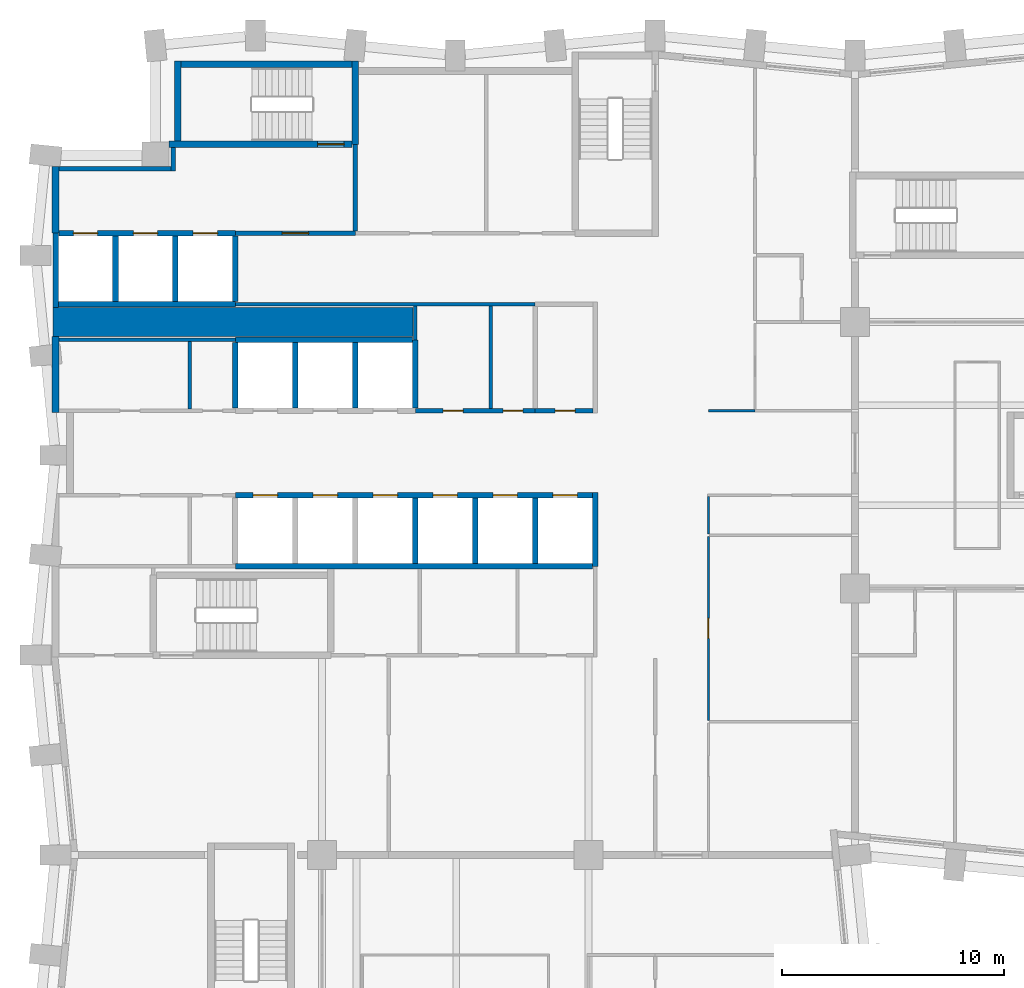
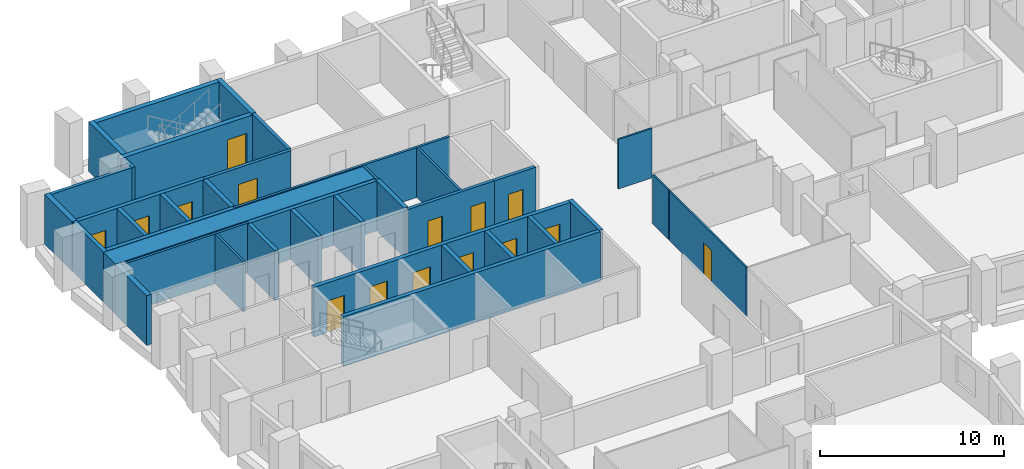
# One storey, part 6 of 12: 38 walls, 15 doors, 15 openings.
"""IFC4 building model written with IfcOpenShell, lengths in metres."""

import ifcopenshell
import ifcopenshell.guid

model = None  # the IFC model being written
_history = None  # IfcOwnerHistory: only IFC2X3 demands one
_inside = {}  # id of a spatial element -> (the spatial element, [elements in it])
_under = {}  # id of a project, library or spatial element -> (it, [spatial elements below it])
_declared = {}  # id of a project -> (the project, [libraries it declares])
_typed = {}  # id of a type object -> (the type object, [elements of that type])
_made_of = {}  # id of a material, layer set ... -> (it, [elements and type objects made of it])


def new_model(schema):
    """Start an empty IFC model of exactly this schema.

    Asked for "IFC4X3", IfcOpenShell would pick the latest addendum, in which some entities
    have other attributes; the version numbers below select the first issue.
    IFC2X3 requires an IfcOwnerHistory on every rooted entity: one is made here for all.
    """
    global model, _history
    if schema == "IFC4X3":
        model = ifcopenshell.file(schema_version=(4, 3, 0, 0))
    else:
        model = ifcopenshell.file(schema=schema)
    _inside.clear()
    _under.clear()
    _declared.clear()
    _typed.clear()
    _made_of.clear()
    _history = None
    if model.schema == "IFC2X3":
        org = make("IfcOrganization", Name="unknown")
        user = make(
            "IfcPersonAndOrganization",
            ThePerson=make("IfcPerson", FamilyName="unknown"),
            TheOrganization=org,
        )
        app = make(
            "IfcApplication",
            ApplicationDeveloper=org,
            Version="unknown",
            ApplicationFullName="unknown",
            ApplicationIdentifier="unknown",
        )
        _history = make(
            "IfcOwnerHistory",
            OwningUser=user,
            OwningApplication=app,
            ChangeAction="ADDED",
            CreationDate=0,
        )
    return model


def make(cls, **values):
    """One entity of the class cls with the attributes given. An attribute that is None is left unset."""
    return model.create_entity(
        cls, **{name: value for name, value in values.items() if value is not None}
    )


def rooted(cls, **values):
    """An entity with a GlobalId (a new one), such as an element, a storey or a relation."""
    return make(cls, GlobalId=ifcopenshell.guid.new(), OwnerHistory=_history, **values)


def si_unit(unit_type, name, prefix=None):
    """IfcSIUnit, for example si_unit("LENGTHUNIT", "METRE", prefix="MILLI")."""
    return make("IfcSIUnit", UnitType=unit_type, Prefix=prefix, Name=name)


def assignment(units):
    """IfcUnitAssignment: the units of a project."""
    return None if units is None else make("IfcUnitAssignment", Units=units)


def point(xyz):
    """IfcCartesianPoint."""
    return None if xyz is None else make("IfcCartesianPoint", Coordinates=xyz)


def direction(xyz):
    """IfcDirection."""
    return None if xyz is None else make("IfcDirection", DirectionRatios=xyz)


def frame(location, z_axis=None, x_axis=None):
    """IfcAxis2Placement3D, a coordinate frame: its origin and axes. An axis left out is left unset."""
    return make(
        "IfcAxis2Placement3D",
        Location=point(location),
        Axis=direction(z_axis),
        RefDirection=direction(x_axis),
    )


def frame_2d(location, x_axis=None):
    """IfcAxis2Placement2D, a coordinate frame in the plane: its origin and x axis."""
    return make(
        "IfcAxis2Placement2D", Location=point(location), RefDirection=direction(x_axis)
    )


def origin():
    """The frame at (0, 0, 0) with its axes left unset."""
    return frame((0.0, 0.0, 0.0))


def place(relative_to, where):
    """IfcLocalPlacement: puts the frame where relative to a parent placement (None: the world)."""
    return make(
        "IfcLocalPlacement", PlacementRelTo=relative_to, RelativePlacement=where
    )


def context(
    kind, dimensions, precision=None, world=None, true_north=None, identifier=None
):
    """IfcGeometricRepresentationContext, for example the 3D "Model" context."""
    return make(
        "IfcGeometricRepresentationContext",
        ContextIdentifier=identifier,
        ContextType=kind,
        CoordinateSpaceDimension=dimensions,
        Precision=precision,
        WorldCoordinateSystem=world,
        TrueNorth=true_north,
    )


def subcontext(parent, identifier, kind, view, scale=None):
    """IfcGeometricRepresentationSubContext, for example "Body" below "Model"."""
    return make(
        "IfcGeometricRepresentationSubContext",
        ContextIdentifier=identifier,
        ContextType=kind,
        ParentContext=parent,
        TargetScale=scale,
        TargetView=view,
    )


def project(units=None, contexts=None):
    """IfcProject with its units and contexts."""
    return rooted(
        "IfcProject",
        Name="project",
        RepresentationContexts=contexts,
        UnitsInContext=assignment(units),
    )


def spatial(cls, under=None, at=None, **own):
    """A site, building, storey or space (cls), placed at a placement, below another one or the project."""
    s = rooted(cls, ObjectPlacement=at, **own)
    if under is not None:
        _under.setdefault(under.id(), (under, []))[1].append(s)
    return s


def profile(cls, at=None, kind="AREA", **sizes):
    """A parametric profile (cls). Its sizes go by their IFC names, for example OverallWidth=200.0."""
    return make(cls, ProfileType=kind, Position=at, **sizes)


def rectangle(**sizes):
    """IfcRectangleProfileDef."""
    return profile("IfcRectangleProfileDef", **sizes)


def extrude(swept, where, along, depth):
    """IfcExtrudedAreaSolid: the profile swept, set in the frame where, extruded along a direction by depth."""
    return make(
        "IfcExtrudedAreaSolid",
        SweptArea=swept,
        Position=where,
        ExtrudedDirection=direction(along),
        Depth=depth,
    )


def shape(context_of_items, identifier, shape_type, items):
    """IfcShapeRepresentation: the items that make up one representation, for example the "Body"."""
    return make(
        "IfcShapeRepresentation",
        ContextOfItems=context_of_items,
        RepresentationIdentifier=identifier,
        RepresentationType=shape_type,
        Items=items,
    )


def material(Name=None, Category=None):
    """IfcMaterial."""
    return make("IfcMaterial", Name=Name, Category=Category)


def layer(
    of_material, thickness, ventilated=None, Name=None, Category=None, Priority=None
):
    """IfcMaterialLayer: one layer of a wall or slab, of a material (None: an air gap)."""
    return make(
        "IfcMaterialLayer",
        Material=of_material,
        LayerThickness=thickness,
        IsVentilated=ventilated,
        Name=Name,
        Category=Category,
        Priority=Priority,
    )


def layer_set(layers, Name=None):
    """IfcMaterialLayerSet."""
    return make("IfcMaterialLayerSet", MaterialLayers=layers, LayerSetName=Name)


def made_of(thing, what):
    """Note that an element or type object is made of a material, layer set ...; save() writes the relation."""
    if what is not None:
        _made_of.setdefault(what.id(), (what, []))[1].append(thing)
    return thing


def type_object(cls, material=None, **own):
    """A type object (cls), such as IfcWallType, which elements share."""
    return made_of(rooted(cls, **own), material)


def element(
    cls,
    number,
    at=None,
    inside=None,
    cuts=None,
    type_object=None,
    material=None,
    context=None,
    identifier="Body",
    shape_type=None,
    held_by="IfcProductDefinitionShape",
    body=None,
    shapes=None,
    **own,
):
    """One element of the class cls, such as IfcWall. Its Tag is "e" and its number.

    at: its placement. inside: the storey or other place that contains it. cuts: it is an
    opening in that element (IfcRelVoidsElement). A single representation is given by context,
    identifier, shape_type and body (its items); several are given by shapes. held_by: the class
    of the entity that holds the representations. save() writes the other relations.
    """
    e = rooted(cls, Tag="e%d" % number, ObjectPlacement=at, **own)
    if body is not None:
        shapes = [shape(context, identifier, shape_type, body)]
    if shapes is not None:
        e.Representation = make(held_by, Representations=shapes)
    if inside is not None:
        _inside.setdefault(inside.id(), (inside, []))[1].append(e)
    if cuts is not None:
        rooted(
            "IfcRelVoidsElement", RelatingBuildingElement=cuts, RelatedOpeningElement=e
        )
    if type_object is not None:
        _typed.setdefault(type_object.id(), (type_object, []))[1].append(e)
    return made_of(e, material)


def fill(opening, filler):
    """IfcRelFillsElement: the door or window that sits in an opening."""
    return rooted(
        "IfcRelFillsElement",
        RelatingOpeningElement=opening,
        RelatedBuildingElement=filler,
    )


def aggregate(whole, parts):
    """IfcRelAggregates: a whole, such as a stair, and the parts it consists of."""
    return rooted("IfcRelAggregates", RelatingObject=whole, RelatedObjects=parts)


def save(model, path):
    """Write the relations noted so far, then the file.

    IfcRelAggregates (storeys below a building ...), IfcRelContainedInSpatialStructure (elements
    in a storey), IfcRelDefinesByType, IfcRelAssociatesMaterial and IfcRelDeclares: one each for
    every whole, place, type object, material and project.
    """
    for whole, parts in _under.values():
        aggregate(whole, parts)
    for where, things in _inside.values():
        rooted(
            "IfcRelContainedInSpatialStructure",
            RelatedElements=things,
            RelatingStructure=where,
        )
    for kind, things in _typed.values():
        rooted("IfcRelDefinesByType", RelatedObjects=things, RelatingType=kind)
    for what, things in _made_of.values():
        rooted("IfcRelAssociatesMaterial", RelatedObjects=things, RelatingMaterial=what)
    for by, libraries in _declared.values():
        rooted("IfcRelDeclares", RelatingContext=by, RelatedDefinitions=libraries)
    model.write(path)


model = new_model("IFC4")

# Units and contexts
model_context = context("Model", 3, precision=1e-05, world=origin(), true_north=direction((0.0, 1.0)))
body_context = subcontext(model_context, "Body", "Model", "MODEL_VIEW")
ifc_project = project(units=[si_unit("LENGTHUNIT", "METRE"), si_unit("AREAUNIT", "SQUARE_METRE"), si_unit("VOLUMEUNIT", "CUBIC_METRE"), si_unit("PLANEANGLEUNIT", "RADIAN"), si_unit("MASSUNIT", "GRAM", prefix="KILO")], contexts=[model_context])

# Site, building, storey
site_placement = place(None, origin())
site = spatial("IfcSite", under=ifc_project, at=site_placement, CompositionType="ELEMENT")
building_placement = place(site_placement, origin())
building = spatial("IfcBuilding", under=site, at=building_placement, Name="Brondeck Convention Tower", CompositionType="ELEMENT")
storey_placement = place(building_placement, frame((0.0, 0.0, 59.10009765625)))
storey = spatial("IfcBuildingStorey", under=building, at=storey_placement, Name="L12", CompositionType="ELEMENT", Elevation=59.10009765625)

# Walls
ifc_material_1 = material(Name="Concrete C80/95", Category="concrete")
ifc_layer_1 = layer(ifc_material_1, 0.300048828125)
ifc_layer_set_1 = layer_set([ifc_layer_1], Name="Core outer wall 300 Concrete C80/95")
wall_type_1 = type_object("IfcWallType", Name="Core outer wall 300 Concrete C80/95", PredefinedType="SHEAR", material=ifc_layer_set_1)
wall_1_placement = place(storey_placement, frame((0.0, 46.925048828125, 0.0), z_axis=(0.0, 0.0, 1.0), x_axis=(0.0, 1.0, 0.0)))
element("IfcWall", 1, at=wall_1_placement, inside=storey, type_object=wall_type_1, Name="L12 core wall", PredefinedType="SHEAR", context=body_context, shape_type="SweptSolid", body=[
    extrude(rectangle(XDim=3.425048828125, YDim=0.300048828125, at=frame_2d((1.71240234375, 0.0))), origin(), (0.0, 0.0, 1.0), 3.2998046875),
])
wall_2_placement = place(storey_placement, frame((0.0, 55.0, 0.0), z_axis=(0.0, 0.0, 1.0), x_axis=(0.0, 1.0, 0.0)))
element("IfcWall", 2, at=wall_2_placement, inside=storey, type_object=wall_type_1, Name="L12 core wall", PredefinedType="SHEAR", context=body_context, shape_type="SweptSolid", body=[
    extrude(rectangle(XDim=3.0, YDim=0.300048828125, at=frame_2d((1.5, 0.0))), origin(), (0.0, 0.0, 1.0), 3.2998046875),
])
ifc_material_2 = material(Name="Fire-rated gypsum board partition")
ifc_layer_2 = layer(ifc_material_2, 0.14990234375)
ifc_layer_set_2 = layer_set([ifc_layer_2], Name="Core partition 150 EI 60")
wall_type_2 = type_object("IfcWallType", Name="Core partition 150 EI 60", PredefinedType="PARTITIONING", material=ifc_layer_set_2)
wall_3_placement = place(storey_placement, frame((0.14990234375, 50.199951171875, 0.0), z_axis=(0.0, 0.0, 1.0), x_axis=(1.0, 0.0, 0.0)))
element("IfcWall", 3, at=wall_3_placement, inside=storey, type_object=wall_type_2, Name="L12 core wall", PredefinedType="PARTITIONING", context=body_context, shape_type="SweptSolid", body=[
    extrude(rectangle(XDim=7.9501953125, YDim=0.14990234375, at=frame_2d((3.97509765625, 0.0))), origin(), (0.0, 0.0, 1.0), 3.2998046875),
])
wall_4_placement = place(storey_placement, frame((8.10009765625, 51.800048828125, 0.0), z_axis=(0.0, 0.0, 1.0), x_axis=(1.0, 0.0, 0.0)))
element("IfcWall", 4, at=wall_4_placement, inside=storey, type_object=wall_type_2, Name="L12 core wall", PredefinedType="PARTITIONING", context=body_context, shape_type="SweptSolid", body=[
    extrude(rectangle(XDim=13.5, YDim=0.14990234375, at=frame_2d((6.75, 0.0))), origin(), (0.0, 0.0, 1.0), 3.2998046875),
])
wall_5_placement = place(storey_placement, frame((6.050048828125, 47.074951171875, 0.0), z_axis=(0.0, 0.0, 1.0), x_axis=(0.0, 1.0, 0.0)))
element("IfcWall", 5, at=wall_5_placement, inside=storey, type_object=wall_type_2, Name="L12 core wall", PredefinedType="PARTITIONING", context=body_context, shape_type="SweptSolid", body=[
    extrude(rectangle(XDim=3.050048828125, YDim=0.14990234375, at=frame_2d((1.52490234375, 0.0))), origin(), (0.0, 0.0, 1.0), 3.2998046875),
])
wall_6_placement = place(storey_placement, frame((16.199951171875, 50.199951171875, 0.0), z_axis=(0.0, 0.0, 1.0), x_axis=(0.0, 1.0, 0.0)))
element("IfcWall", 6, at=wall_6_placement, inside=storey, type_object=wall_type_2, Name="L12 core wall", PredefinedType="PARTITIONING", context=body_context, shape_type="SweptSolid", body=[
    extrude(rectangle(XDim=1.525146484375, YDim=0.14990234375, at=frame_2d((0.7626953125, 0.0))), origin(), (0.0, 0.0, 1.0), 3.2998046875),
])
wall_7_placement = place(storey_placement, frame((19.60009765625, 47.10009765625, 0.0), z_axis=(0.0, 0.0, 1.0), x_axis=(0.0, 1.0, 0.0)))
element("IfcWall", 7, at=wall_7_placement, inside=storey, type_object=wall_type_2, Name="L12 core wall", PredefinedType="PARTITIONING", context=body_context, shape_type="SweptSolid", body=[
    extrude(rectangle(XDim=4.625, YDim=0.14990234375, at=frame_2d((2.3125, 0.0))), origin(), (0.0, 0.0, 1.0), 3.2998046875),
])
ifc_layer_3 = layer(ifc_material_1, 1.300048828125)
ifc_layer_set_3 = layer_set([ifc_layer_3], Name="Core shear wall 1300 Concrete C80/95")
wall_type_3 = type_object("IfcWallType", Name="Core shear wall 1300 Concrete C80/95", PredefinedType="SHEAR", material=ifc_layer_set_3)
wall_8_placement = place(storey_placement, frame((-0.125, 51.0, 0.0), z_axis=(0.0, 0.0, 1.0), x_axis=(1.0, 0.0, 0.0)))
element("IfcWall", 8, at=wall_8_placement, inside=storey, type_object=wall_type_3, Name="L12 core wall", PredefinedType="SHEAR", context=body_context, shape_type="SweptSolid", body=[
    extrude(rectangle(XDim=16.22509765625, YDim=1.300048828125, at=frame_2d((8.112548828125, 0.0))), origin(), (0.0, 0.0, 1.0), 3.2998046875),
])

# Wall, opening, door
ifc_layer_4 = layer(ifc_material_2, 0.199951171875)
ifc_layer_set_4 = layer_set([ifc_layer_4], Name="Firefighting lobby wall 200 EI 120")
wall_type_4 = type_object("IfcWallType", Name="Firefighting lobby wall 200 EI 120", PredefinedType="PARTITIONING", material=ifc_layer_set_4)
wall_9_placement = place(storey_placement, frame((8.10009765625, 55.0, 0.0), z_axis=(0.0, 0.0, 1.0), x_axis=(1.0, 0.0, 0.0)))
wall_9 = element("IfcWall", 9, at=wall_9_placement, inside=storey, type_object=wall_type_4, Name="L12 core wall", PredefinedType="PARTITIONING", context=body_context, shape_type="SweptSolid", body=[
    extrude(rectangle(XDim=5.39990234375, YDim=0.199951171875, at=frame_2d((2.699951171875, 0.0))), origin(), (0.0, 0.0, 1.0), 3.2998046875),
])
opening_1_placement = place(wall_9_placement, frame((2.10009765625, 0.0, 0.0)))
opening_1 = element("IfcOpeningElement", 10, at=opening_1_placement, cuts=wall_9, Name="Opening C10-01", PredefinedType="OPENING", context=body_context, shape_type="SweptSolid", body=[
    extrude(rectangle(XDim=1.199951171875, YDim=2.199951171875, at=frame_2d((0.60009765625, 1.10009765625))), frame((0.0, 0.10986328125, 0.0), z_axis=(0.0, -1.0, 0.0), x_axis=(1.0, 0.0, 0.0)), (0.0, 0.0, 1.0), 0.219970703125),
])
ifc_material_3 = material(Name="Steel fire door", Category="steel")
door_type_1 = type_object("IfcDoorType", Name="Firefighting lobby door 1200x2200 EI 120", OperationType="NOTDEFINED", PredefinedType="DOOR", material=ifc_material_3)
door_1_placement = place(opening_1_placement, origin())
door_1 = element("IfcDoor", 11, at=door_1_placement, inside=storey, type_object=door_type_1, Name="L12 Firefighting lobby door FFL-1", OperationType="SINGLE_SWING_RIGHT", OverallHeight=2.199951171875, OverallWidth=1.199951171875, PredefinedType="DOOR", context=body_context, shape_type="SweptSolid", body=[
    extrude(rectangle(XDim=1.199951171875, YDim=2.199951171875, at=frame_2d((0.60009765625, 1.10009765625))), frame((0.0, 0.02490234375, 0.0), z_axis=(0.0, -1.0, 0.0), x_axis=(1.0, 0.0, 0.0)), (0.0, 0.0, 1.0), 0.050048828125),
])
fill(opening_1, door_1)

# Walls
wall_10_placement = place(storey_placement, frame((0.14990234375, 57.89990234375, 0.0), z_axis=(0.0, 0.0, 1.0), x_axis=(1.0, 0.0, 0.0)))
element("IfcWall", 12, at=wall_10_placement, inside=storey, type_object=wall_type_4, Name="L12 core wall", PredefinedType="PARTITIONING", context=body_context, shape_type="SweptSolid", body=[
    extrude(rectangle(XDim=5.050048828125, YDim=0.199951171875, at=frame_2d((2.52490234375, 0.0))), origin(), (0.0, 0.0, 1.0), 3.2998046875),
])
wall_11_placement = place(storey_placement, frame((5.300048828125, 57.800048828125, 0.0), z_axis=(0.0, 0.0, 1.0), x_axis=(0.0, 1.0, 0.0)))
element("IfcWall", 13, at=wall_11_placement, inside=storey, type_object=wall_type_4, Name="L12 core wall", PredefinedType="PARTITIONING", context=body_context, shape_type="SweptSolid", body=[
    extrude(rectangle(XDim=1.050048828125, YDim=0.199951171875, at=frame_2d((0.52490234375, 0.0))), origin(), (0.0, 0.0, 1.0), 3.2998046875),
])
wall_12_placement = place(storey_placement, frame((13.5, 55.10009765625, 0.0), z_axis=(0.0, 0.0, 1.0), x_axis=(0.0, 1.0, 0.0)))
element("IfcWall", 14, at=wall_12_placement, inside=storey, type_object=wall_type_4, Name="L12 core wall", PredefinedType="PARTITIONING", context=body_context, shape_type="SweptSolid", body=[
    extrude(rectangle(XDim=3.89990234375, YDim=0.199951171875, at=frame_2d((1.949951171875, 0.0))), origin(), (0.0, 0.0, 1.0), 3.2998046875),
])

# Wall, openings, doors
ifc_layer_5 = layer(ifc_material_2, 0.199951171875)
ifc_layer_set_5 = layer_set([ifc_layer_5], Name="Lift lobby wall 200 EI 60")
wall_type_5 = type_object("IfcWallType", Name="Lift lobby wall 200 EI 60", PredefinedType="PARTITIONING", material=ifc_layer_set_5)
wall_13_placement = place(storey_placement, frame((16.199951171875, 47.0, 0.0), z_axis=(0.0, 0.0, 1.0), x_axis=(1.0, 0.0, 0.0)))
wall_13 = element("IfcWall", 15, at=wall_13_placement, inside=storey, type_object=wall_type_5, Name="L12 core wall", PredefinedType="PARTITIONING", context=body_context, shape_type="SweptSolid", body=[
    extrude(rectangle(XDim=5.400146484375, YDim=0.199951171875, at=frame_2d((2.7001953125, 0.0))), origin(), (0.0, 0.0, 1.0), 3.2998046875),
])
opening_2_placement = place(wall_13_placement, frame((1.25, 0.0, 0.0)))
opening_2 = element("IfcOpeningElement", 16, at=opening_2_placement, cuts=wall_13, Name="Opening C10-09", PredefinedType="OPENING", context=body_context, shape_type="SweptSolid", body=[
    extrude(rectangle(XDim=0.89990234375, YDim=2.10009765625, at=frame_2d((0.449951171875, 1.050048828125))), frame((0.0, 0.10986328125, 0.0), z_axis=(0.0, -1.0, 0.0), x_axis=(1.0, 0.0, 0.0)), (0.0, 0.0, 1.0), 0.219970703125),
])
opening_3_placement = place(wall_13_placement, frame((3.949951171875, 0.0, 0.0)))
opening_3 = element("IfcOpeningElement", 17, at=opening_3_placement, cuts=wall_13, Name="Opening C10-10", PredefinedType="OPENING", context=body_context, shape_type="SweptSolid", body=[
    extrude(rectangle(XDim=0.89990234375, YDim=2.10009765625, at=frame_2d((0.449951171875, 1.050048828125))), frame((0.0, 0.10986328125, 0.0), z_axis=(0.0, -1.0, 0.0), x_axis=(1.0, 0.0, 0.0)), (0.0, 0.0, 1.0), 0.219970703125),
])
door_type_2 = type_object("IfcDoorType", Name="Room door 900x2100 EI 60", OperationType="NOTDEFINED", PredefinedType="DOOR", material=ifc_material_3)
door_2_placement = place(opening_2_placement, origin())
door_2 = element("IfcDoor", 18, at=door_2_placement, inside=storey, type_object=door_type_2, Name="L12 Room door FZ-N-16.2-1", OperationType="SINGLE_SWING_LEFT", OverallHeight=2.10009765625, OverallWidth=0.89990234375, PredefinedType="DOOR", context=body_context, shape_type="SweptSolid", body=[
    extrude(rectangle(XDim=0.89990234375, YDim=2.10009765625, at=frame_2d((0.449951171875, 1.050048828125))), frame((0.0, 0.02490234375, 0.0), z_axis=(0.0, -1.0, 0.0), x_axis=(1.0, 0.0, 0.0)), (0.0, 0.0, 1.0), 0.050048828125),
])
fill(opening_2, door_2)
door_3_placement = place(opening_3_placement, origin())
door_3 = element("IfcDoor", 19, at=door_3_placement, inside=storey, type_object=door_type_2, Name="L12 Room door FZ-N-16.2-2", OperationType="SINGLE_SWING_RIGHT", OverallHeight=2.10009765625, OverallWidth=0.89990234375, PredefinedType="DOOR", context=body_context, shape_type="SweptSolid", body=[
    extrude(rectangle(XDim=0.89990234375, YDim=2.10009765625, at=frame_2d((0.449951171875, 1.050048828125))), frame((0.0, 0.02490234375, 0.0), z_axis=(0.0, -1.0, 0.0), x_axis=(1.0, 0.0, 0.0)), (0.0, 0.0, 1.0), 0.050048828125),
])
fill(opening_3, door_3)

# Wall
ifc_layer_6 = layer(ifc_material_1, 0.25)
ifc_layer_set_6 = layer_set([ifc_layer_6], Name="Lift shaft wall 250 Concrete C80/95")
wall_type_6 = type_object("IfcWallType", Name="Lift shaft wall 250 Concrete C80/95", PredefinedType="SHEAR", material=ifc_layer_set_6)
wall_14_placement = place(storey_placement, frame((8.10009765625, 40.0, 0.0), z_axis=(0.0, 0.0, 1.0), x_axis=(1.0, 0.0, 0.0)))
element("IfcWall", 20, at=wall_14_placement, inside=storey, type_object=wall_type_6, Name="L12 core wall", PredefinedType="SHEAR", context=body_context, shape_type="SweptSolid", body=[
    extrude(rectangle(XDim=16.074951171875, YDim=0.25, at=frame_2d((8.03759765625, 0.0))), origin(), (0.0, 0.0, 1.0), 3.2998046875),
])

# Wall, openings, doors
wall_15_placement = place(storey_placement, frame((8.10009765625, 43.199951171875, 0.0), z_axis=(0.0, 0.0, 1.0), x_axis=(1.0, 0.0, 0.0)))
wall_15 = element("IfcWall", 21, at=wall_15_placement, inside=storey, type_object=wall_type_6, Name="L12 core wall", PredefinedType="SHEAR", context=body_context, shape_type="SweptSolid", body=[
    extrude(rectangle(XDim=16.074951171875, YDim=0.25, at=frame_2d((8.03759765625, 0.0))), origin(), (0.0, 0.0, 1.0), 3.2998046875),
])
opening_4_placement = place(wall_15_placement, frame((14.300048828125, 0.0, 0.0)))
opening_4 = element("IfcOpeningElement", 22, at=opening_4_placement, cuts=wall_15, Name="Opening C10-25", PredefinedType="OPENING", context=body_context, shape_type="SweptSolid", body=[
    extrude(rectangle(XDim=1.10009765625, YDim=2.10009765625, at=frame_2d((0.550048828125, 1.050048828125))), frame((0.0, 0.135009765625, 0.0), z_axis=(0.0, -1.0, 0.0), x_axis=(1.0, 0.0, 0.0)), (0.0, 0.0, 1.0), 0.27001953125),
])
opening_5_placement = place(wall_15_placement, frame((0.800048828125, 0.0, 0.0)))
opening_5 = element("IfcOpeningElement", 23, at=opening_5_placement, cuts=wall_15, Name="Opening C10-26", PredefinedType="OPENING", context=body_context, shape_type="SweptSolid", body=[
    extrude(rectangle(XDim=1.10009765625, YDim=2.10009765625, at=frame_2d((0.550048828125, 1.050048828125))), frame((0.0, 0.135009765625, 0.0), z_axis=(0.0, -1.0, 0.0), x_axis=(1.0, 0.0, 0.0)), (0.0, 0.0, 1.0), 0.27001953125),
])
opening_6_placement = place(wall_15_placement, frame((3.5, 0.0, 0.0)))
opening_6 = element("IfcOpeningElement", 24, at=opening_6_placement, cuts=wall_15, Name="Opening C10-27", PredefinedType="OPENING", context=body_context, shape_type="SweptSolid", body=[
    extrude(rectangle(XDim=1.10009765625, YDim=2.10009765625, at=frame_2d((0.550048828125, 1.050048828125))), frame((0.0, 0.135009765625, 0.0), z_axis=(0.0, -1.0, 0.0), x_axis=(1.0, 0.0, 0.0)), (0.0, 0.0, 1.0), 0.27001953125),
])
opening_7_placement = place(wall_15_placement, frame((6.199951171875, 0.0, 0.0)))
opening_7 = element("IfcOpeningElement", 25, at=opening_7_placement, cuts=wall_15, Name="Opening C10-28", PredefinedType="OPENING", context=body_context, shape_type="SweptSolid", body=[
    extrude(rectangle(XDim=1.10009765625, YDim=2.10009765625, at=frame_2d((0.550048828125, 1.050048828125))), frame((0.0, 0.135009765625, 0.0), z_axis=(0.0, -1.0, 0.0), x_axis=(1.0, 0.0, 0.0)), (0.0, 0.0, 1.0), 0.27001953125),
])
opening_8_placement = place(wall_15_placement, frame((8.89990234375, 0.0, 0.0)))
opening_8 = element("IfcOpeningElement", 26, at=opening_8_placement, cuts=wall_15, Name="Opening C10-32", PredefinedType="OPENING", context=body_context, shape_type="SweptSolid", body=[
    extrude(rectangle(XDim=1.10009765625, YDim=2.10009765625, at=frame_2d((0.550048828125, 1.050048828125))), frame((0.0, 0.135009765625, 0.0), z_axis=(0.0, -1.0, 0.0), x_axis=(1.0, 0.0, 0.0)), (0.0, 0.0, 1.0), 0.27001953125),
])
opening_9_placement = place(wall_15_placement, frame((11.60009765625, 0.0, 0.0)))
opening_9 = element("IfcOpeningElement", 27, at=opening_9_placement, cuts=wall_15, Name="Opening C10-33", PredefinedType="OPENING", context=body_context, shape_type="SweptSolid", body=[
    extrude(rectangle(XDim=1.10009765625, YDim=2.10009765625, at=frame_2d((0.550048828125, 1.050048828125))), frame((0.0, 0.135009765625, 0.0), z_axis=(0.0, -1.0, 0.0), x_axis=(1.0, 0.0, 0.0)), (0.0, 0.0, 1.0), 0.27001953125),
])
ifc_material_4 = material(Name="Stainless steel lift door", Category="steel")
door_type_3 = type_object("IfcDoorType", Name="Lift landing door 1100x2100 EI 180", OperationType="DOUBLE_DOOR_SLIDING", PredefinedType="DOOR", material=ifc_material_4)
door_4_placement = place(opening_4_placement, origin())
door_4 = element("IfcDoor", 28, at=door_4_placement, inside=storey, type_object=door_type_3, Name="L12 Lift landing door HS1", OperationType="DOUBLE_DOOR_SLIDING", OverallHeight=2.10009765625, OverallWidth=1.10009765625, PredefinedType="DOOR", context=body_context, shape_type="SweptSolid", body=[
    extrude(rectangle(XDim=1.10009765625, YDim=2.10009765625, at=frame_2d((0.550048828125, 1.050048828125))), frame((0.0, 0.02490234375, 0.0), z_axis=(0.0, -1.0, 0.0), x_axis=(1.0, 0.0, 0.0)), (0.0, 0.0, 1.0), 0.050048828125),
])
fill(opening_4, door_4)
door_5_placement = place(opening_5_placement, origin())
door_5 = element("IfcDoor", 29, at=door_5_placement, inside=storey, type_object=door_type_3, Name="L12 Lift landing door LR1", OperationType="DOUBLE_DOOR_SLIDING", OverallHeight=2.10009765625, OverallWidth=1.10009765625, PredefinedType="DOOR", context=body_context, shape_type="SweptSolid", body=[
    extrude(rectangle(XDim=1.10009765625, YDim=2.10009765625, at=frame_2d((0.550048828125, 1.050048828125))), frame((0.0, 0.02490234375, 0.0), z_axis=(0.0, -1.0, 0.0), x_axis=(1.0, 0.0, 0.0)), (0.0, 0.0, 1.0), 0.050048828125),
])
fill(opening_5, door_5)
door_6_placement = place(opening_6_placement, origin())
door_6 = element("IfcDoor", 30, at=door_6_placement, inside=storey, type_object=door_type_3, Name="L12 Lift landing door LR2", OperationType="DOUBLE_DOOR_SLIDING", OverallHeight=2.10009765625, OverallWidth=1.10009765625, PredefinedType="DOOR", context=body_context, shape_type="SweptSolid", body=[
    extrude(rectangle(XDim=1.10009765625, YDim=2.10009765625, at=frame_2d((0.550048828125, 1.050048828125))), frame((0.0, 0.02490234375, 0.0), z_axis=(0.0, -1.0, 0.0), x_axis=(1.0, 0.0, 0.0)), (0.0, 0.0, 1.0), 0.050048828125),
])
fill(opening_6, door_6)
door_7_placement = place(opening_7_placement, origin())
door_7 = element("IfcDoor", 31, at=door_7_placement, inside=storey, type_object=door_type_3, Name="L12 Lift landing door LR3", OperationType="DOUBLE_DOOR_SLIDING", OverallHeight=2.10009765625, OverallWidth=1.10009765625, PredefinedType="DOOR", context=body_context, shape_type="SweptSolid", body=[
    extrude(rectangle(XDim=1.10009765625, YDim=2.10009765625, at=frame_2d((0.550048828125, 1.050048828125))), frame((0.0, 0.02490234375, 0.0), z_axis=(0.0, -1.0, 0.0), x_axis=(1.0, 0.0, 0.0)), (0.0, 0.0, 1.0), 0.050048828125),
])
fill(opening_7, door_7)
door_8_placement = place(opening_8_placement, origin())
door_8 = element("IfcDoor", 32, at=door_8_placement, inside=storey, type_object=door_type_3, Name="L12 Lift landing door SH1", OperationType="DOUBLE_DOOR_SLIDING", OverallHeight=2.10009765625, OverallWidth=1.10009765625, PredefinedType="DOOR", context=body_context, shape_type="SweptSolid", body=[
    extrude(rectangle(XDim=1.10009765625, YDim=2.10009765625, at=frame_2d((0.550048828125, 1.050048828125))), frame((0.0, 0.02490234375, 0.0), z_axis=(0.0, -1.0, 0.0), x_axis=(1.0, 0.0, 0.0)), (0.0, 0.0, 1.0), 0.050048828125),
])
fill(opening_8, door_8)
door_9_placement = place(opening_9_placement, origin())
door_9 = element("IfcDoor", 33, at=door_9_placement, inside=storey, type_object=door_type_3, Name="L12 Lift landing door SH2", OperationType="DOUBLE_DOOR_SLIDING", OverallHeight=2.10009765625, OverallWidth=1.10009765625, PredefinedType="DOOR", context=body_context, shape_type="SweptSolid", body=[
    extrude(rectangle(XDim=1.10009765625, YDim=2.10009765625, at=frame_2d((0.550048828125, 1.050048828125))), frame((0.0, 0.02490234375, 0.0), z_axis=(0.0, -1.0, 0.0), x_axis=(1.0, 0.0, 0.0)), (0.0, 0.0, 1.0), 0.050048828125),
])
fill(opening_9, door_9)

# Walls
wall_16_placement = place(storey_placement, frame((8.10009765625, 50.199951171875, 0.0), z_axis=(0.0, 0.0, 1.0), x_axis=(1.0, 0.0, 0.0)))
element("IfcWall", 34, at=wall_16_placement, inside=storey, type_object=wall_type_6, Name="L12 core wall", PredefinedType="SHEAR", context=body_context, shape_type="SweptSolid", body=[
    extrude(rectangle(XDim=7.974853515625, YDim=0.25, at=frame_2d((3.9873046875, 0.0))), origin(), (0.0, 0.0, 1.0), 3.2998046875),
])
wall_17_placement = place(storey_placement, frame((0.125, 51.800048828125, 0.0), z_axis=(0.0, 0.0, 1.0), x_axis=(1.0, 0.0, 0.0)))
element("IfcWall", 35, at=wall_17_placement, inside=storey, type_object=wall_type_6, Name="L12 core wall", PredefinedType="SHEAR", context=body_context, shape_type="SweptSolid", body=[
    extrude(rectangle(XDim=7.97509765625, YDim=0.25, at=frame_2d((3.987548828125, 0.0))), origin(), (0.0, 0.0, 1.0), 3.2998046875),
])

# Wall, openings, doors
wall_18_placement = place(storey_placement, frame((0.14990234375, 55.0, 0.0), z_axis=(0.0, 0.0, 1.0), x_axis=(1.0, 0.0, 0.0)))
wall_18 = element("IfcWall", 36, at=wall_18_placement, inside=storey, type_object=wall_type_6, Name="L12 core wall", PredefinedType="SHEAR", context=body_context, shape_type="SweptSolid", body=[
    extrude(rectangle(XDim=7.9501953125, YDim=0.25, at=frame_2d((3.97509765625, 0.0))), origin(), (0.0, 0.0, 1.0), 3.2998046875),
])
opening_10_placement = place(wall_18_placement, frame((0.64990234375, 0.0, 0.0)))
opening_10 = element("IfcOpeningElement", 37, at=opening_10_placement, cuts=wall_18, Name="Opening C10-22", PredefinedType="OPENING", context=body_context, shape_type="SweptSolid", body=[
    extrude(rectangle(XDim=1.10009765625, YDim=2.10009765625, at=frame_2d((0.550048828125, 1.050048828125))), frame((0.0, 0.135009765625, 0.0), z_axis=(0.0, -1.0, 0.0), x_axis=(1.0, 0.0, 0.0)), (0.0, 0.0, 1.0), 0.27001953125),
])
opening_11_placement = place(wall_18_placement, frame((3.35009765625, 0.0, 0.0)))
opening_11 = element("IfcOpeningElement", 38, at=opening_11_placement, cuts=wall_18, Name="Opening C10-23", PredefinedType="OPENING", context=body_context, shape_type="SweptSolid", body=[
    extrude(rectangle(XDim=1.10009765625, YDim=2.10009765625, at=frame_2d((0.550048828125, 1.050048828125))), frame((0.0, 0.135009765625, 0.0), z_axis=(0.0, -1.0, 0.0), x_axis=(1.0, 0.0, 0.0)), (0.0, 0.0, 1.0), 0.27001953125),
])
opening_12_placement = place(wall_18_placement, frame((6.050048828125, 0.0, 0.0)))
opening_12 = element("IfcOpeningElement", 39, at=opening_12_placement, cuts=wall_18, Name="Opening C10-24", PredefinedType="OPENING", context=body_context, shape_type="SweptSolid", body=[
    extrude(rectangle(XDim=1.10009765625, YDim=2.10009765625, at=frame_2d((0.550048828125, 1.050048828125))), frame((0.0, 0.135009765625, 0.0), z_axis=(0.0, -1.0, 0.0), x_axis=(1.0, 0.0, 0.0)), (0.0, 0.0, 1.0), 0.27001953125),
])
door_10_placement = place(opening_10_placement, origin())
door_10 = element("IfcDoor", 40, at=door_10_placement, inside=storey, type_object=door_type_3, Name="L12 Lift landing door FF1", OperationType="DOUBLE_DOOR_SLIDING", OverallHeight=2.10009765625, OverallWidth=1.10009765625, PredefinedType="DOOR", context=body_context, shape_type="SweptSolid", body=[
    extrude(rectangle(XDim=1.10009765625, YDim=2.10009765625, at=frame_2d((0.550048828125, 1.050048828125))), frame((0.0, 0.02490234375, 0.0), z_axis=(0.0, -1.0, 0.0), x_axis=(1.0, 0.0, 0.0)), (0.0, 0.0, 1.0), 0.050048828125),
])
fill(opening_10, door_10)
door_11_placement = place(opening_11_placement, origin())
door_11 = element("IfcDoor", 41, at=door_11_placement, inside=storey, type_object=door_type_3, Name="L12 Lift landing door FF2", OperationType="DOUBLE_DOOR_SLIDING", OverallHeight=2.10009765625, OverallWidth=1.10009765625, PredefinedType="DOOR", context=body_context, shape_type="SweptSolid", body=[
    extrude(rectangle(XDim=1.10009765625, YDim=2.10009765625, at=frame_2d((0.550048828125, 1.050048828125))), frame((0.0, 0.02490234375, 0.0), z_axis=(0.0, -1.0, 0.0), x_axis=(1.0, 0.0, 0.0)), (0.0, 0.0, 1.0), 0.050048828125),
])
fill(opening_11, door_11)
door_12_placement = place(opening_12_placement, origin())
door_12 = element("IfcDoor", 42, at=door_12_placement, inside=storey, type_object=door_type_3, Name="L12 Lift landing door FF3", OperationType="DOUBLE_DOOR_SLIDING", OverallHeight=2.10009765625, OverallWidth=1.10009765625, PredefinedType="DOOR", context=body_context, shape_type="SweptSolid", body=[
    extrude(rectangle(XDim=1.10009765625, YDim=2.10009765625, at=frame_2d((0.550048828125, 1.050048828125))), frame((0.0, 0.02490234375, 0.0), z_axis=(0.0, -1.0, 0.0), x_axis=(1.0, 0.0, 0.0)), (0.0, 0.0, 1.0), 0.050048828125),
])
fill(opening_12, door_12)

# Walls
wall_19_placement = place(storey_placement, frame((0.0, 51.64990234375, 0.0), z_axis=(0.0, 0.0, 1.0), x_axis=(0.0, 1.0, 0.0)))
element("IfcWall", 43, at=wall_19_placement, inside=storey, type_object=wall_type_6, Name="L12 core wall", PredefinedType="SHEAR", context=body_context, shape_type="SweptSolid", body=[
    extrude(rectangle(XDim=3.35009765625, YDim=0.25, at=frame_2d((1.675048828125, 0.0))), origin(), (0.0, 0.0, 1.0), 3.2998046875),
])
for number, where, z_axis, x_axis, name in (
    (44, (2.699951171875, 51.925048828125, 0.0), (0.0, 0.0, 1.0), (0.0, 1.0, 0.0), "L12 core wall"),
    (45, (5.39990234375, 51.925048828125, 0.0), (0.0, 0.0, 1.0), (0.0, 1.0, 0.0), "L12 core wall"),
    (46, (8.10009765625, 47.125, 0.0), (0.0, 0.0, 1.0), (0.0, 1.0, 0.0), "L12 core wall"),
    (47, (8.10009765625, 51.925048828125, 0.0), (0.0, 0.0, 1.0), (0.0, 1.0, 0.0), "L12 core wall"),
    (48, (10.800048828125, 47.125, 0.0), (0.0, 0.0, 1.0), (0.0, 1.0, 0.0), "L12 core wall"),
    (49, (13.5, 47.125, 0.0), (0.0, 0.0, 1.0), (0.0, 1.0, 0.0), "L12 core wall"),
    (50, (16.199951171875, 40.125, 0.0), (0.0, 0.0, 1.0), (0.0, 1.0, 0.0), "L12 core wall"),
):
    element("IfcWall", number, at=place(storey_placement, frame(where, z_axis=z_axis, x_axis=x_axis)), inside=storey, type_object=wall_type_6, Name=name, PredefinedType="SHEAR", context=body_context, shape_type="SweptSolid", body=[
        extrude(rectangle(XDim=2.949951171875, YDim=0.25, at=frame_2d((1.47509765625, 0.0))), origin(), (0.0, 0.0, 1.0), 3.2998046875),
    ])
wall_20_placement = place(storey_placement, frame((16.199951171875, 47.125, 0.0), z_axis=(0.0, 0.0, 1.0), x_axis=(0.0, 1.0, 0.0)))
element("IfcWall", 51, at=wall_20_placement, inside=storey, type_object=wall_type_6, Name="L12 core wall", PredefinedType="SHEAR", context=body_context, shape_type="SweptSolid", body=[
    extrude(rectangle(XDim=3.074951171875, YDim=0.25, at=frame_2d((1.53759765625, 0.0))), origin(), (0.0, 0.0, 1.0), 3.2998046875),
])
for number, where, z_axis, x_axis, name in (
    (52, (18.89990234375, 40.125, 0.0), (0.0, 0.0, 1.0), (0.0, 1.0, 0.0), "L12 core wall"),
    (53, (21.60009765625, 40.125, 0.0), (0.0, 0.0, 1.0), (0.0, 1.0, 0.0), "L12 core wall"),
):
    element("IfcWall", number, at=place(storey_placement, frame(where, z_axis=z_axis, x_axis=x_axis)), inside=storey, type_object=wall_type_6, Name=name, PredefinedType="SHEAR", context=body_context, shape_type="SweptSolid", body=[
        extrude(rectangle(XDim=2.949951171875, YDim=0.25, at=frame_2d((1.47509765625, 0.0))), origin(), (0.0, 0.0, 1.0), 3.2998046875),
    ])
wall_21_placement = place(storey_placement, frame((24.300048828125, 40.0, 0.0), z_axis=(0.0, 0.0, 1.0), x_axis=(0.0, 1.0, 0.0)))
element("IfcWall", 54, at=wall_21_placement, inside=storey, type_object=wall_type_6, Name="L12 core wall", PredefinedType="SHEAR", context=body_context, shape_type="SweptSolid", body=[
    extrude(rectangle(XDim=3.324951171875, YDim=0.25, at=frame_2d((1.66259765625, 0.0))), origin(), (0.0, 0.0, 1.0), 3.2998046875),
])

# Wall, opening, door
ifc_layer_7 = layer(ifc_material_2, 0.199951171875)
ifc_layer_set_7 = layer_set([ifc_layer_7], Name="Riser wall 200 EI 120")
wall_type_7 = type_object("IfcWallType", Name="Riser wall 200 EI 120", PredefinedType="PARTITIONING", material=ifc_layer_set_7)
wall_22_placement = place(storey_placement, frame((21.60009765625, 47.0, 0.0), z_axis=(0.0, 0.0, 1.0), x_axis=(1.0, 0.0, 0.0)))
wall_22 = element("IfcWall", 55, at=wall_22_placement, inside=storey, type_object=wall_type_7, Name="L12 core wall", PredefinedType="PARTITIONING", context=body_context, shape_type="SweptSolid", body=[
    extrude(rectangle(XDim=2.599853515625, YDim=0.199951171875, at=frame_2d((1.2998046875, 0.0))), origin(), (0.0, 0.0, 1.0), 3.2998046875),
])
opening_13_placement = place(wall_22_placement, frame((0.89990234375, 0.0, 0.0)))
opening_13 = element("IfcOpeningElement", 56, at=opening_13_placement, cuts=wall_22, Name="Opening C10-02", PredefinedType="OPENING", context=body_context, shape_type="SweptSolid", body=[
    extrude(rectangle(XDim=0.89990234375, YDim=2.10009765625, at=frame_2d((0.449951171875, 1.050048828125))), frame((0.0, 0.10986328125, 0.0), z_axis=(0.0, -1.0, 0.0), x_axis=(1.0, 0.0, 0.0)), (0.0, 0.0, 1.0), 0.219970703125),
])
door_type_4 = type_object("IfcDoorType", Name="Riser door 900x2100 EI 120", OperationType="NOTDEFINED", PredefinedType="DOOR", material=ifc_material_3)
door_13_placement = place(opening_13_placement, origin())
door_13 = element("IfcDoor", 57, at=door_13_placement, inside=storey, type_object=door_type_4, Name="L12 Riser door EN-1", OperationType="SINGLE_SWING_LEFT", OverallHeight=2.10009765625, OverallWidth=0.89990234375, PredefinedType="DOOR", context=body_context, shape_type="SweptSolid", body=[
    extrude(rectangle(XDim=0.89990234375, YDim=2.10009765625, at=frame_2d((0.449951171875, 1.050048828125))), frame((0.0, 0.02490234375, 0.0), z_axis=(0.0, -1.0, 0.0), x_axis=(1.0, 0.0, 0.0)), (0.0, 0.0, 1.0), 0.050048828125),
])
fill(opening_13, door_13)

ifc_material_5 = material(Name="Gypsum board partition on steel studs", Category="steel")
ifc_layer_8 = layer(ifc_material_5, 0.10009765625)
ifc_layer_set_8 = layer_set([ifc_layer_8], Name="Room partition 100")
wall_type_8 = type_object("IfcWallType", Name="Room partition 100", PredefinedType="PARTITIONING", material=ifc_layer_set_8)
wall_23_placement = place(storey_placement, frame((29.39990234375, 41.35009765625, 0.0), z_axis=(0.0, 0.0, 1.0), x_axis=(0.0, -1.0, 0.0)))
wall_23 = element("IfcWall", 58, at=wall_23_placement, inside=storey, type_object=wall_type_8, Name="FLR-L12-W078", PredefinedType="PARTITIONING", context=body_context, shape_type="SweptSolid", body=[
    extrude(rectangle(XDim=8.300048828125, YDim=0.10009765625, at=frame_2d((4.14990234375, 0.0))), origin(), (0.0, 0.0, 1.0), 3.27978515625),
])
opening_14_placement = place(wall_23_placement, frame((3.699951171875, 0.0, 0.0)))
opening_14 = element("IfcOpeningElement", 59, at=opening_14_placement, cuts=wall_23, Name="Opening H3-037", PredefinedType="OPENING", context=body_context, shape_type="SweptSolid", body=[
    extrude(rectangle(XDim=0.89990234375, YDim=2.10009765625, at=frame_2d((0.449951171875, 1.050048828125))), frame((0.0, 0.06005859375, 0.0), z_axis=(0.0, -1.0, 0.0), x_axis=(1.0, 0.0, 0.0)), (0.0, 0.0, 1.0), 0.1201171875),
])
ifc_material_6 = material(Name="Solid timber door leaf", Category="wood")
door_type_5 = type_object("IfcDoorType", Name="Single door 900", OperationType="NOTDEFINED", PredefinedType="DOOR", material=ifc_material_6)
door_14_placement = place(opening_14_placement, origin())
door_14 = element("IfcDoor", 60, at=door_14_placement, inside=storey, type_object=door_type_5, Name="Door H3-037", OperationType="SINGLE_SWING_LEFT", OverallHeight=2.10009765625, OverallWidth=0.89990234375, PredefinedType="DOOR", context=body_context, shape_type="SweptSolid", body=[
    extrude(rectangle(XDim=0.89990234375, YDim=2.10009765625, at=frame_2d((0.449951171875, 1.050048828125))), frame((0.0, 0.02490234375, 0.0), z_axis=(0.0, -1.0, 0.0), x_axis=(1.0, 0.0, 0.0)), (0.0, 0.0, 1.0), 0.050048828125),
])
fill(opening_14, door_14)

# Walls
wall_24_placement = place(storey_placement, frame((29.39990234375, 43.14990234375, 0.0), z_axis=(0.0, 0.0, 1.0), x_axis=(0.0, -1.0, 0.0)))
element("IfcWall", 61, at=wall_24_placement, inside=storey, type_object=wall_type_8, Name="FLR-L12-W081", PredefinedType="PARTITIONING", context=body_context, shape_type="SweptSolid", body=[
    extrude(rectangle(XDim=1.699951171875, YDim=0.10009765625, at=frame_2d((0.85009765625, 0.0))), origin(), (0.0, 0.0, 1.0), 3.27978515625),
])
wall_25_placement = place(storey_placement, frame((29.39990234375, 47.0, 0.0), z_axis=(0.0, 0.0, 1.0), x_axis=(1.0, 0.0, 0.0)))
element("IfcWall", 62, at=wall_25_placement, inside=storey, type_object=wall_type_8, Name="FLR-L12-W087", PredefinedType="PARTITIONING", context=body_context, shape_type="SweptSolid", body=[
    extrude(rectangle(XDim=2.10009765625, YDim=0.10009765625, at=frame_2d((1.050048828125, 0.0))), origin(), (0.0, 0.0, 1.0), 3.27978515625),
])

# Wall, opening, door
ifc_layer_9 = layer(ifc_material_1, 0.300048828125)
ifc_layer_set_9 = layer_set([ifc_layer_9], Name="Stair enclosure wall 300 Concrete C80/95")
wall_type_9 = type_object("IfcWallType", Name="Stair enclosure wall 300 Concrete C80/95", PredefinedType="SHEAR", material=ifc_layer_set_9)
wall_26_placement = place(storey_placement, frame((5.10009765625, 59.0, 0.0), z_axis=(0.0, 0.0, 1.0), x_axis=(1.0, 0.0, 0.0)))
wall_26 = element("IfcWall", 63, at=wall_26_placement, inside=storey, type_object=wall_type_9, Name="L12 core wall", PredefinedType="SHEAR", context=body_context, shape_type="SweptSolid", body=[
    extrude(rectangle(XDim=8.25, YDim=0.300048828125, at=frame_2d((4.125, 0.0))), origin(), (0.0, 0.0, 1.0), 3.2998046875),
])
opening_15_placement = place(wall_26_placement, frame((6.699951171875, 0.0, 0.0)))
opening_15 = element("IfcOpeningElement", 64, at=opening_15_placement, cuts=wall_26, Name="Opening C10-17", PredefinedType="OPENING", context=body_context, shape_type="SweptSolid", body=[
    extrude(rectangle(XDim=1.199951171875, YDim=2.199951171875, at=frame_2d((0.60009765625, 1.10009765625))), frame((0.0, 0.159912109375, 0.0), z_axis=(0.0, -1.0, 0.0), x_axis=(1.0, 0.0, 0.0)), (0.0, 0.0, 1.0), 0.320068359375),
])
door_type_6 = type_object("IfcDoorType", Name="Stair door 1200x2200 EI 120", OperationType="NOTDEFINED", PredefinedType="DOOR", material=ifc_material_3)
door_15_placement = place(opening_15_placement, origin())
door_15 = element("IfcDoor", 65, at=door_15_placement, inside=storey, type_object=door_type_6, Name="L12 Stair door ST-3", OperationType="SINGLE_SWING_RIGHT", OverallHeight=2.199951171875, OverallWidth=1.199951171875, PredefinedType="DOOR", context=body_context, shape_type="SweptSolid", body=[
    extrude(rectangle(XDim=1.199951171875, YDim=2.199951171875, at=frame_2d((0.60009765625, 1.10009765625))), frame((0.0, 0.02490234375, 0.0), z_axis=(0.0, -1.0, 0.0), x_axis=(1.0, 0.0, 0.0)), (0.0, 0.0, 1.0), 0.050048828125),
])
fill(opening_15, door_15)

# Walls
wall_27_placement = place(storey_placement, frame((5.64990234375, 62.60009765625, 0.0), z_axis=(0.0, 0.0, 1.0), x_axis=(1.0, 0.0, 0.0)))
element("IfcWall", 66, at=wall_27_placement, inside=storey, type_object=wall_type_9, Name="L12 core wall", PredefinedType="SHEAR", context=body_context, shape_type="SweptSolid", body=[
    extrude(rectangle(XDim=7.7001953125, YDim=0.300048828125, at=frame_2d((3.85009765625, 0.0))), origin(), (0.0, 0.0, 1.0), 3.2998046875),
])
wall_28_placement = place(storey_placement, frame((5.5, 59.14990234375, 0.0), z_axis=(0.0, 0.0, 1.0), x_axis=(0.0, 1.0, 0.0)))
element("IfcWall", 67, at=wall_28_placement, inside=storey, type_object=wall_type_9, Name="L12 core wall", PredefinedType="SHEAR", context=body_context, shape_type="SweptSolid", body=[
    extrude(rectangle(XDim=3.60009765625, YDim=0.300048828125, at=frame_2d((1.800048828125, 0.0))), origin(), (0.0, 0.0, 1.0), 3.2998046875),
])
wall_29_placement = place(storey_placement, frame((13.5, 59.0, 0.0), z_axis=(0.0, 0.0, 1.0), x_axis=(0.0, 1.0, 0.0)))
element("IfcWall", 68, at=wall_29_placement, inside=storey, type_object=wall_type_9, Name="L12 core wall", PredefinedType="SHEAR", context=body_context, shape_type="SweptSolid", body=[
    extrude(rectangle(XDim=3.75, YDim=0.300048828125, at=frame_2d((1.875, 0.0))), origin(), (0.0, 0.0, 1.0), 3.2998046875),
])

save(model, "model.ifc")
